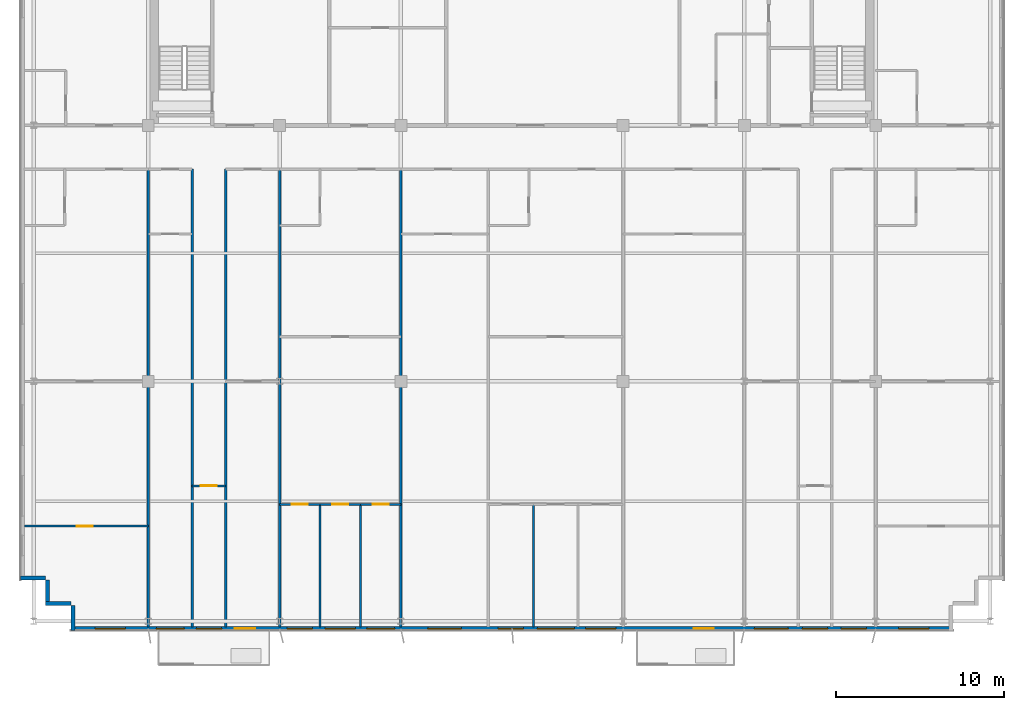
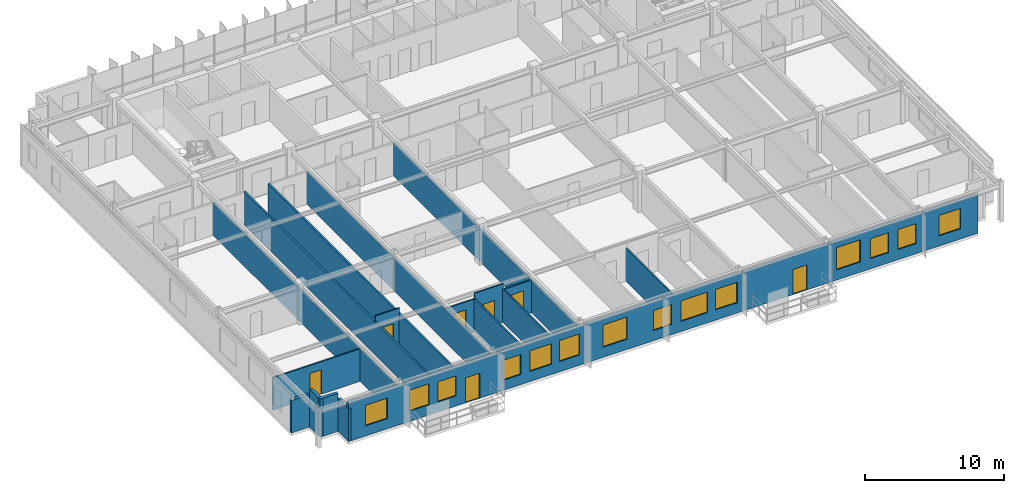
# One storey, part 16 of 23: 18 walls, 14 windows, 7 doors, 21 openings.
"""IFC4 building model written with IfcOpenShell, lengths in metres."""

from ifc_helpers import new_model, si_unit, direction, frame, frame_2d, origin, place, context, subcontext, project, spatial, rectangle, extrude, source, transform, mapped, material, layer, layer_set, type_object, element, fill, save


model = new_model("IFC4")

# Units and contexts
model_context = context("Model", 3, precision=1e-05, world=origin(), true_north=direction((0.0, 1.0)))
body_context = subcontext(model_context, "Body", "Model", "MODEL_VIEW")
ifc_project = project(units=[si_unit("LENGTHUNIT", "METRE"), si_unit("AREAUNIT", "SQUARE_METRE"), si_unit("VOLUMEUNIT", "CUBIC_METRE"), si_unit("PLANEANGLEUNIT", "RADIAN"), si_unit("MASSUNIT", "GRAM", prefix="KILO")], contexts=[model_context])

# Site, building, storey
site_placement = place(None, origin())
site = spatial("IfcSite", under=ifc_project, at=site_placement, CompositionType="ELEMENT")
building_placement = place(site_placement, origin())
building = spatial("IfcBuilding", under=site, at=building_placement, Name="Trelvane Seafront Commons", CompositionType="ELEMENT")
storey_placement = place(building_placement, frame((0.0, 0.0, 212.10009765625)))
storey = spatial("IfcBuildingStorey", under=building, at=storey_placement, Name="L55", CompositionType="ELEMENT", Elevation=212.10009765625)

# Walls
ifc_material_1 = material(Name="Precast concrete C40/50", Category="concrete")
ifc_layer_1 = layer(ifc_material_1, 0.239990234375, Name="ARCH-WALL-EXT240")
ifc_layer_set_1 = layer_set([ifc_layer_1], Name="Precast concrete C40/50")
wall_type_1 = type_object("IfcWallType", Name="ARCH-WALL-EXT240", PredefinedType="SOLIDWALL", material=ifc_layer_set_1)
for number, where, z_axis, x_axis, name in (
    (1, (11.0, 5.02001953125, 0.0), (0.0, 0.0, 1.0), (-1.0, 0.0, 0.0), "EW-L55-01101"),
    (2, (9.6201171875, 4.89990234375, 0.0), (0.0, 0.0, 1.0), (0.0, 1.0, 0.0), "EW-L55-01102"),
):
    element("IfcWall", number, at=place(storey_placement, frame(where, z_axis=z_axis, x_axis=x_axis)), inside=storey, type_object=wall_type_1, Name=name, PredefinedType="SOLIDWALL", context=body_context, shape_type="SweptSolid", body=[
        extrude(rectangle(XDim=1.5, YDim=0.239990234375, at=frame_2d((0.75, 0.0))), origin(), (0.0, 0.0, 1.0), 3.35986328125),
    ])
wall_1_placement = place(storey_placement, frame((9.5, 6.52001953125, 0.0), z_axis=(0.0, 0.0, 1.0), x_axis=(-1.0, 0.0, 0.0)))
element("IfcWall", 3, at=wall_1_placement, inside=storey, type_object=wall_type_1, Name="EW-L55-01103", PredefinedType="SOLIDWALL", context=body_context, shape_type="SweptSolid", body=[
    extrude(rectangle(XDim=1.5, YDim=0.239990234375, at=frame_2d((0.75, 0.0))), origin(), (0.0, 0.0, 1.0), 2.85986328125),
])

# Wall, openings, doors, windows
wall_2_placement = place(storey_placement, frame((63.39990234375, 3.52001953125, 0.0), z_axis=(0.0, 0.0, 1.0), x_axis=(-1.0, 0.0, 0.0)))
wall_2 = element("IfcWall", 4, at=wall_2_placement, inside=storey, type_object=wall_type_1, Name="EW-L55-01118", PredefinedType="SOLIDWALL", context=body_context, shape_type="SweptSolid", body=[
    extrude(rectangle(XDim=52.39990234375, YDim=0.239990234375, at=frame_2d((26.199951171875, 0.0))), origin(), (0.0, 0.0, 1.0), 3.35986328125),
])
opening_1_placement = place(wall_2_placement, frame((1.445068359375, 0.0, 0.89990234375)))
opening_1 = element("IfcOpeningElement", 5, at=opening_1_placement, cuts=wall_2, Name="Opening W01", PredefinedType="OPENING", context=body_context, shape_type="SweptSolid", body=[
    extrude(rectangle(XDim=1.800048828125, YDim=1.800048828125, at=frame_2d((0.89990234375, 0.89990234375))), frame((0.0, 0.1298828125, 0.0), z_axis=(0.0, -1.0, 0.0), x_axis=(1.0, 0.0, 0.0)), (0.0, 0.0, 1.0), 0.260009765625),
])
opening_2_placement = place(wall_2_placement, frame((5.14990234375, 0.0, 0.89990234375)))
opening_2 = element("IfcOpeningElement", 6, at=opening_2_placement, cuts=wall_2, Name="Opening W03", PredefinedType="OPENING", context=body_context, shape_type="SweptSolid", body=[
    extrude(rectangle(XDim=1.5, YDim=1.75, at=frame_2d((0.75, 0.875))), frame((0.0, 0.1298828125, 0.0), z_axis=(0.0, -1.0, 0.0), x_axis=(1.0, 0.0, 0.0)), (0.0, 0.0, 1.0), 0.260009765625),
])
opening_3_placement = place(wall_2_placement, frame((7.449951171875, 0.0, 0.89990234375)))
opening_3 = element("IfcOpeningElement", 7, at=opening_3_placement, cuts=wall_2, Name="Opening W03", PredefinedType="OPENING", context=body_context, shape_type="SweptSolid", body=[
    extrude(rectangle(XDim=1.5, YDim=1.75, at=frame_2d((0.75, 0.875))), frame((0.0, 0.1298828125, 0.0), z_axis=(0.0, -1.0, 0.0), x_axis=(1.0, 0.0, 0.0)), (0.0, 0.0, 1.0), 0.260009765625),
])
opening_4_placement = place(wall_2_placement, frame((9.800048828125, 0.0, 0.89990234375)))
opening_4 = element("IfcOpeningElement", 8, at=opening_4_placement, cuts=wall_2, Name="Opening W06", PredefinedType="OPENING", context=body_context, shape_type="SweptSolid", body=[
    extrude(rectangle(XDim=2.0, YDim=1.949951171875, at=frame_2d((1.0, 0.97509765625))), frame((0.0, 0.1298828125, 0.0), z_axis=(0.0, -1.0, 0.0), x_axis=(1.0, 0.0, 0.0)), (0.0, 0.0, 1.0), 0.260009765625),
])
opening_5_placement = place(wall_2_placement, frame((14.217041015625, 0.0, 0.0)))
opening_5 = element("IfcOpeningElement", 9, at=opening_5_placement, cuts=wall_2, Name="Opening BD-L55-118", PredefinedType="OPENING", context=body_context, shape_type="SweptSolid", body=[
    extrude(rectangle(XDim=1.199951171875, YDim=2.199951171875, at=frame_2d((0.60009765625, 1.10009765625))), frame((0.0, 0.1298828125, 0.0), z_axis=(0.0, -1.0, 0.0), x_axis=(1.0, 0.0, 0.0)), (0.0, 0.0, 1.0), 0.260009765625),
])
opening_6_placement = place(wall_2_placement, frame((20.033935546875, 0.0, 0.89990234375)))
opening_6 = element("IfcOpeningElement", 10, at=opening_6_placement, cuts=wall_2, Name="Opening W01", PredefinedType="OPENING", context=body_context, shape_type="SweptSolid", body=[
    extrude(rectangle(XDim=1.800048828125, YDim=1.800048828125, at=frame_2d((0.89990234375, 0.89990234375))), frame((0.0, 0.1298828125, 0.0), z_axis=(0.0, -1.0, 0.0), x_axis=(1.0, 0.0, 0.0)), (0.0, 0.0, 1.0), 0.260009765625),
])
opening_7_placement = place(wall_2_placement, frame((22.5, 0.0, 0.89990234375)))
opening_7 = element("IfcOpeningElement", 11, at=opening_7_placement, cuts=wall_2, Name="Opening W02", PredefinedType="OPENING", context=body_context, shape_type="SweptSolid", body=[
    extrude(rectangle(XDim=2.199951171875, YDim=1.800048828125, at=frame_2d((1.10009765625, 0.89990234375))), frame((0.0, 0.1298828125, 0.0), z_axis=(0.0, -1.0, 0.0), x_axis=(1.0, 0.0, 0.0)), (0.0, 0.0, 1.0), 0.260009765625),
])
opening_8_placement = place(wall_2_placement, frame((25.51708984375, 0.0, 0.89990234375)))
opening_8 = element("IfcOpeningElement", 12, at=opening_8_placement, cuts=wall_2, Name="Opening W03", PredefinedType="OPENING", context=body_context, shape_type="SweptSolid", body=[
    extrude(rectangle(XDim=1.5, YDim=1.75, at=frame_2d((0.75, 0.875))), frame((0.0, 0.1298828125, 0.0), z_axis=(0.0, -1.0, 0.0), x_axis=(1.0, 0.0, 0.0)), (0.0, 0.0, 1.0), 0.260009765625),
])
opening_9_placement = place(wall_2_placement, frame((29.199951171875, 0.0, 0.89990234375)))
opening_9 = element("IfcOpeningElement", 13, at=opening_9_placement, cuts=wall_2, Name="Opening W06", PredefinedType="OPENING", context=body_context, shape_type="SweptSolid", body=[
    extrude(rectangle(XDim=2.0, YDim=1.949951171875, at=frame_2d((1.0, 0.97509765625))), frame((0.0, 0.1298828125, 0.0), z_axis=(0.0, -1.0, 0.0), x_axis=(1.0, 0.0, 0.0)), (0.0, 0.0, 1.0), 0.260009765625),
])
opening_10_placement = place(wall_2_placement, frame((33.175048828125, 0.0, 0.89990234375)))
opening_10 = element("IfcOpeningElement", 14, at=opening_10_placement, cuts=wall_2, Name="Opening W07", PredefinedType="OPENING", context=body_context, shape_type="SweptSolid", body=[
    extrude(rectangle(XDim=1.64990234375, YDim=1.85009765625, at=frame_2d((0.824951171875, 0.925048828125))), frame((0.0, 0.1298828125, 0.0), z_axis=(0.0, -1.0, 0.0), x_axis=(1.0, 0.0, 0.0)), (0.0, 0.0, 1.0), 0.260009765625),
])
opening_11_placement = place(wall_2_placement, frame((35.5, 0.0, 0.89990234375)))
opening_11 = element("IfcOpeningElement", 15, at=opening_11_placement, cuts=wall_2, Name="Opening W01", PredefinedType="OPENING", context=body_context, shape_type="SweptSolid", body=[
    extrude(rectangle(XDim=1.800048828125, YDim=1.800048828125, at=frame_2d((0.89990234375, 0.89990234375))), frame((0.0, 0.1298828125, 0.0), z_axis=(0.0, -1.0, 0.0), x_axis=(1.0, 0.0, 0.0)), (0.0, 0.0, 1.0), 0.260009765625),
])
opening_12_placement = place(wall_2_placement, frame((38.050048828125, 0.0, 0.89990234375)))
opening_12 = element("IfcOpeningElement", 16, at=opening_12_placement, cuts=wall_2, Name="Opening W03", PredefinedType="OPENING", context=body_context, shape_type="SweptSolid", body=[
    extrude(rectangle(XDim=1.5, YDim=1.75, at=frame_2d((0.75, 0.875))), frame((0.0, 0.1298828125, 0.0), z_axis=(0.0, -1.0, 0.0), x_axis=(1.0, 0.0, 0.0)), (0.0, 0.0, 1.0), 0.260009765625),
])
opening_13_placement = place(wall_2_placement, frame((41.4560546875, 0.0, 0.0)))
opening_13 = element("IfcOpeningElement", 17, at=opening_13_placement, cuts=wall_2, Name="Opening BD-L55-119", PredefinedType="OPENING", context=body_context, shape_type="SweptSolid", body=[
    extrude(rectangle(XDim=1.199951171875, YDim=2.199951171875, at=frame_2d((0.60009765625, 1.10009765625))), frame((0.0, 0.1298828125, 0.0), z_axis=(0.0, -1.0, 0.0), x_axis=(1.0, 0.0, 0.0)), (0.0, 0.0, 1.0), 0.260009765625),
])
opening_14_placement = place(wall_2_placement, frame((43.449951171875, 0.0, 0.89990234375)))
opening_14 = element("IfcOpeningElement", 18, at=opening_14_placement, cuts=wall_2, Name="Opening W03", PredefinedType="OPENING", context=body_context, shape_type="SweptSolid", body=[
    extrude(rectangle(XDim=1.5, YDim=1.75, at=frame_2d((0.75, 0.875))), frame((0.0, 0.1298828125, 0.0), z_axis=(0.0, -1.0, 0.0), x_axis=(1.0, 0.0, 0.0)), (0.0, 0.0, 1.0), 0.260009765625),
])
opening_15_placement = place(wall_2_placement, frame((45.675048828125, 0.0, 0.89990234375)))
opening_15 = element("IfcOpeningElement", 19, at=opening_15_placement, cuts=wall_2, Name="Opening W07", PredefinedType="OPENING", context=body_context, shape_type="SweptSolid", body=[
    extrude(rectangle(XDim=1.64990234375, YDim=1.85009765625, at=frame_2d((0.824951171875, 0.925048828125))), frame((0.0, 0.1298828125, 0.0), z_axis=(0.0, -1.0, 0.0), x_axis=(1.0, 0.0, 0.0)), (0.0, 0.0, 1.0), 0.260009765625),
])
opening_16_placement = place(wall_2_placement, frame((49.155029296875, 0.0, 0.89990234375)))
opening_16 = element("IfcOpeningElement", 20, at=opening_16_placement, cuts=wall_2, Name="Opening W01", PredefinedType="OPENING", context=body_context, shape_type="SweptSolid", body=[
    extrude(rectangle(XDim=1.800048828125, YDim=1.800048828125, at=frame_2d((0.89990234375, 0.89990234375))), frame((0.0, 0.1298828125, 0.0), z_axis=(0.0, -1.0, 0.0), x_axis=(1.0, 0.0, 0.0)), (0.0, 0.0, 1.0), 0.260009765625),
])
ifc_material_2 = material(Name="Powder-coated aluminium frame", Category="aluminium")
door_type_1 = type_object("IfcDoorType", Name="ARCH-DR-BAL1200", OperationType="NOTDEFINED", PredefinedType="DOOR", material=ifc_material_2)
shared_shape_1 = source(origin(), body_context, "Body", "SweptSolid", [
    extrude(rectangle(XDim=1.199951171875, YDim=2.199951171875, at=frame_2d((0.60009765625, 1.10009765625))), frame((0.0, 0.02490234375, 0.0), z_axis=(0.0, -1.0, 0.0), x_axis=(1.0, 0.0, 0.0)), (0.0, 0.0, 1.0), 0.050048828125),
])
door_1_placement = place(opening_5_placement, origin())
door_1 = element("IfcDoor", 21, at=door_1_placement, inside=storey, type_object=door_type_1, Name="L55 Balcony Terrace Access Door", OperationType="SINGLE_SWING_LEFT", OverallHeight=2.199951171875, OverallWidth=1.199951171875, PredefinedType="DOOR", context=body_context, shape_type="MappedRepresentation", body=[
    mapped(shared_shape_1, transform((0.0, 0.0, 0.0), x_axis=(1.0, 0.0, 0.0), y_axis=(0.0, 1.0, 0.0), z_axis=(0.0, 0.0, 1.0), scale=1.0)),
])
fill(opening_5, door_1)
door_2_placement = place(opening_13_placement, origin())
door_2 = element("IfcDoor", 22, at=door_2_placement, inside=storey, type_object=door_type_1, Name="L55 Balcony Terrace Access Door", OperationType="SINGLE_SWING_LEFT", OverallHeight=2.199951171875, OverallWidth=1.199951171875, PredefinedType="DOOR", context=body_context, shape_type="MappedRepresentation", body=[
    mapped(shared_shape_1, transform((0.0, 0.0, 0.0), x_axis=(1.0, 0.0, 0.0), y_axis=(0.0, 1.0, 0.0), z_axis=(0.0, 0.0, 1.0), scale=1.0)),
])
fill(opening_13, door_2)
ifc_material_3 = material(Name="Low-E coastal double glazing", Category="glass")
window_type_1 = type_object("IfcWindowType", Name="ARCH-WIN-W02", PartitioningType="SINGLE_PANEL", PredefinedType="WINDOW", material=ifc_material_3)
shared_shape_2 = source(origin(), body_context, "Body", "SweptSolid", [
    extrude(rectangle(XDim=2.199951171875, YDim=1.800048828125, at=frame_2d((1.10009765625, 0.89990234375))), frame((0.0, 0.030029296875, 0.0), z_axis=(0.0, -1.0, 0.0), x_axis=(1.0, 0.0, 0.0)), (0.0, 0.0, 1.0), 0.06005859375),
])
window_1_placement = place(opening_7_placement, origin())
window_1 = element("IfcWindow", 23, at=window_1_placement, inside=storey, type_object=window_type_1, Name="WIN-L55-01349", OverallHeight=1.800048828125, OverallWidth=2.199951171875, PartitioningType="SINGLE_PANEL", PredefinedType="WINDOW", context=body_context, shape_type="MappedRepresentation", body=[
    mapped(shared_shape_2, transform((0.0, 0.0, 0.0), x_axis=(1.0, 0.0, 0.0), y_axis=(0.0, 1.0, 0.0), z_axis=(0.0, 0.0, 1.0), scale=1.0)),
])
fill(opening_7, window_1)
window_type_2 = type_object("IfcWindowType", Name="ARCH-WIN-W03", PartitioningType="SINGLE_PANEL", PredefinedType="WINDOW", material=ifc_material_3)
shared_shape_3 = source(origin(), body_context, "Body", "SweptSolid", [
    extrude(rectangle(XDim=1.5, YDim=1.75, at=frame_2d((0.75, 0.875))), frame((0.0, 0.030029296875, 0.0), z_axis=(0.0, -1.0, 0.0), x_axis=(1.0, 0.0, 0.0)), (0.0, 0.0, 1.0), 0.06005859375),
])
window_2_placement = place(opening_2_placement, origin())
window_2 = element("IfcWindow", 24, at=window_2_placement, inside=storey, type_object=window_type_2, Name="WIN-L55-01345", OverallHeight=1.75, OverallWidth=1.5, PartitioningType="SINGLE_PANEL", PredefinedType="WINDOW", context=body_context, shape_type="MappedRepresentation", body=[
    mapped(shared_shape_3, transform((0.0, 0.0, 0.0), x_axis=(1.0, 0.0, 0.0), y_axis=(0.0, 1.0, 0.0), z_axis=(0.0, 0.0, 1.0), scale=1.0)),
])
fill(opening_2, window_2)
window_3_placement = place(opening_3_placement, origin())
window_3 = element("IfcWindow", 25, at=window_3_placement, inside=storey, type_object=window_type_2, Name="WIN-L55-01346", OverallHeight=1.75, OverallWidth=1.5, PartitioningType="SINGLE_PANEL", PredefinedType="WINDOW", context=body_context, shape_type="MappedRepresentation", body=[
    mapped(shared_shape_3, transform((0.0, 0.0, 0.0), x_axis=(1.0, 0.0, 0.0), y_axis=(0.0, 1.0, 0.0), z_axis=(0.0, 0.0, 1.0), scale=1.0)),
])
fill(opening_3, window_3)
window_4_placement = place(opening_8_placement, origin())
window_4 = element("IfcWindow", 26, at=window_4_placement, inside=storey, type_object=window_type_2, Name="WIN-L55-01350", OverallHeight=1.75, OverallWidth=1.5, PartitioningType="SINGLE_PANEL", PredefinedType="WINDOW", context=body_context, shape_type="MappedRepresentation", body=[
    mapped(shared_shape_3, transform((0.0, 0.0, 0.0), x_axis=(1.0, 0.0, 0.0), y_axis=(0.0, 1.0, 0.0), z_axis=(0.0, 0.0, 1.0), scale=1.0)),
])
fill(opening_8, window_4)
window_5_placement = place(opening_12_placement, origin())
window_5 = element("IfcWindow", 27, at=window_5_placement, inside=storey, type_object=window_type_2, Name="WIN-L55-01354", OverallHeight=1.75, OverallWidth=1.5, PartitioningType="SINGLE_PANEL", PredefinedType="WINDOW", context=body_context, shape_type="MappedRepresentation", body=[
    mapped(shared_shape_3, transform((0.0, 0.0, 0.0), x_axis=(1.0, 0.0, 0.0), y_axis=(0.0, 1.0, 0.0), z_axis=(0.0, 0.0, 1.0), scale=1.0)),
])
fill(opening_12, window_5)
window_6_placement = place(opening_14_placement, origin())
window_6 = element("IfcWindow", 28, at=window_6_placement, inside=storey, type_object=window_type_2, Name="WIN-L55-01355", OverallHeight=1.75, OverallWidth=1.5, PartitioningType="SINGLE_PANEL", PredefinedType="WINDOW", context=body_context, shape_type="MappedRepresentation", body=[
    mapped(shared_shape_3, transform((0.0, 0.0, 0.0), x_axis=(1.0, 0.0, 0.0), y_axis=(0.0, 1.0, 0.0), z_axis=(0.0, 0.0, 1.0), scale=1.0)),
])
fill(opening_14, window_6)
window_type_3 = type_object("IfcWindowType", Name="ARCH-WIN-W06", PartitioningType="SINGLE_PANEL", PredefinedType="WINDOW", material=ifc_material_3)
shared_shape_4 = source(origin(), body_context, "Body", "SweptSolid", [
    extrude(rectangle(XDim=2.0, YDim=1.949951171875, at=frame_2d((1.0, 0.97509765625))), frame((0.0, 0.030029296875, 0.0), z_axis=(0.0, -1.0, 0.0), x_axis=(1.0, 0.0, 0.0)), (0.0, 0.0, 1.0), 0.06005859375),
])
window_7_placement = place(opening_4_placement, origin())
window_7 = element("IfcWindow", 29, at=window_7_placement, inside=storey, type_object=window_type_3, Name="WIN-L55-01347", OverallHeight=1.949951171875, OverallWidth=2.0, PartitioningType="SINGLE_PANEL", PredefinedType="WINDOW", context=body_context, shape_type="MappedRepresentation", body=[
    mapped(shared_shape_4, transform((0.0, 0.0, 0.0), x_axis=(1.0, 0.0, 0.0), y_axis=(0.0, 1.0, 0.0), z_axis=(0.0, 0.0, 1.0), scale=1.0)),
])
fill(opening_4, window_7)
window_8_placement = place(opening_9_placement, origin())
window_8 = element("IfcWindow", 30, at=window_8_placement, inside=storey, type_object=window_type_3, Name="WIN-L55-01351", OverallHeight=1.949951171875, OverallWidth=2.0, PartitioningType="SINGLE_PANEL", PredefinedType="WINDOW", context=body_context, shape_type="MappedRepresentation", body=[
    mapped(shared_shape_4, transform((0.0, 0.0, 0.0), x_axis=(1.0, 0.0, 0.0), y_axis=(0.0, 1.0, 0.0), z_axis=(0.0, 0.0, 1.0), scale=1.0)),
])
fill(opening_9, window_8)
window_type_4 = type_object("IfcWindowType", Name="ARCH-WIN-W01", PartitioningType="SINGLE_PANEL", PredefinedType="WINDOW", material=ifc_material_3)
shared_shape_5 = source(origin(), body_context, "Body", "SweptSolid", [
    extrude(rectangle(XDim=1.800048828125, YDim=1.800048828125, at=frame_2d((0.89990234375, 0.89990234375))), frame((0.0, 0.030029296875, 0.0), z_axis=(0.0, -1.0, 0.0), x_axis=(1.0, 0.0, 0.0)), (0.0, 0.0, 1.0), 0.06005859375),
])
window_9_placement = place(opening_1_placement, origin())
window_9 = element("IfcWindow", 31, at=window_9_placement, inside=storey, type_object=window_type_4, Name="WIN-L55-01344", OverallHeight=1.800048828125, OverallWidth=1.800048828125, PartitioningType="SINGLE_PANEL", PredefinedType="WINDOW", context=body_context, shape_type="MappedRepresentation", body=[
    mapped(shared_shape_5, transform((0.0, 0.0, 0.0), x_axis=(1.0, 0.0, 0.0), y_axis=(0.0, 1.0, 0.0), z_axis=(0.0, 0.0, 1.0), scale=1.0)),
])
fill(opening_1, window_9)
window_10_placement = place(opening_6_placement, origin())
window_10 = element("IfcWindow", 32, at=window_10_placement, inside=storey, type_object=window_type_4, Name="WIN-L55-01348", OverallHeight=1.800048828125, OverallWidth=1.800048828125, PartitioningType="SINGLE_PANEL", PredefinedType="WINDOW", context=body_context, shape_type="MappedRepresentation", body=[
    mapped(shared_shape_5, transform((0.0, 0.0, 0.0), x_axis=(1.0, 0.0, 0.0), y_axis=(0.0, 1.0, 0.0), z_axis=(0.0, 0.0, 1.0), scale=1.0)),
])
fill(opening_6, window_10)
window_11_placement = place(opening_11_placement, origin())
window_11 = element("IfcWindow", 33, at=window_11_placement, inside=storey, type_object=window_type_4, Name="WIN-L55-01353", OverallHeight=1.800048828125, OverallWidth=1.800048828125, PartitioningType="SINGLE_PANEL", PredefinedType="WINDOW", context=body_context, shape_type="MappedRepresentation", body=[
    mapped(shared_shape_5, transform((0.0, 0.0, 0.0), x_axis=(1.0, 0.0, 0.0), y_axis=(0.0, 1.0, 0.0), z_axis=(0.0, 0.0, 1.0), scale=1.0)),
])
fill(opening_11, window_11)
window_12_placement = place(opening_16_placement, origin())
window_12 = element("IfcWindow", 34, at=window_12_placement, inside=storey, type_object=window_type_4, Name="WIN-L55-01357", OverallHeight=1.800048828125, OverallWidth=1.800048828125, PartitioningType="SINGLE_PANEL", PredefinedType="WINDOW", context=body_context, shape_type="MappedRepresentation", body=[
    mapped(shared_shape_5, transform((0.0, 0.0, 0.0), x_axis=(1.0, 0.0, 0.0), y_axis=(0.0, 1.0, 0.0), z_axis=(0.0, 0.0, 1.0), scale=1.0)),
])
fill(opening_16, window_12)
window_type_5 = type_object("IfcWindowType", Name="ARCH-WIN-W07", PartitioningType="SINGLE_PANEL", PredefinedType="WINDOW", material=ifc_material_3)
shared_shape_6 = source(origin(), body_context, "Body", "SweptSolid", [
    extrude(rectangle(XDim=1.64990234375, YDim=1.85009765625, at=frame_2d((0.824951171875, 0.925048828125))), frame((0.0, 0.030029296875, 0.0), z_axis=(0.0, -1.0, 0.0), x_axis=(1.0, 0.0, 0.0)), (0.0, 0.0, 1.0), 0.06005859375),
])
window_13_placement = place(opening_10_placement, origin())
window_13 = element("IfcWindow", 35, at=window_13_placement, inside=storey, type_object=window_type_5, Name="WIN-L55-01352", OverallHeight=1.85009765625, OverallWidth=1.64990234375, PartitioningType="SINGLE_PANEL", PredefinedType="WINDOW", context=body_context, shape_type="MappedRepresentation", body=[
    mapped(shared_shape_6, transform((0.0, 0.0, 0.0), x_axis=(1.0, 0.0, 0.0), y_axis=(0.0, 1.0, 0.0), z_axis=(0.0, 0.0, 1.0), scale=1.0)),
])
fill(opening_10, window_13)
window_14_placement = place(opening_15_placement, origin())
window_14 = element("IfcWindow", 36, at=window_14_placement, inside=storey, type_object=window_type_5, Name="WIN-L55-01356", OverallHeight=1.85009765625, OverallWidth=1.64990234375, PartitioningType="SINGLE_PANEL", PredefinedType="WINDOW", context=body_context, shape_type="MappedRepresentation", body=[
    mapped(shared_shape_6, transform((0.0, 0.0, 0.0), x_axis=(1.0, 0.0, 0.0), y_axis=(0.0, 1.0, 0.0), z_axis=(0.0, 0.0, 1.0), scale=1.0)),
])
fill(opening_15, window_14)

# Wall
wall_3_placement = place(storey_placement, frame((11.1201171875, 3.39990234375, 0.0), z_axis=(0.0, 0.0, 1.0), x_axis=(0.0, 1.0, 0.0)))
element("IfcWall", 37, at=wall_3_placement, inside=storey, type_object=wall_type_1, Name="EW-L55-01119", PredefinedType="SOLIDWALL", context=body_context, shape_type="SweptSolid", body=[
    extrude(rectangle(XDim=1.5, YDim=0.239990234375, at=frame_2d((0.75, 0.0))), origin(), (0.0, 0.0, 1.0), 2.909912109375),
])

# Wall, opening, door
ifc_material_4 = material(Name="Gypsum Drywall Acoustic Partition")
ifc_layer_2 = layer(ifc_material_4, 0.1201171875, Name="ARCH-WALL-PART120")
ifc_layer_set_2 = layer_set([ifc_layer_2], Name="Gypsum Drywall Acoustic Partition")
wall_type_2 = type_object("IfcWallType", Name="ARCH-WALL-PART120", PredefinedType="PARTITIONING", material=ifc_layer_set_2)
wall_4_placement = place(storey_placement, frame((8.239990234375, 9.60009765625, 0.0), z_axis=(0.0, 0.0, 1.0), x_axis=(1.0, 0.0, 0.0)))
wall_4 = element("IfcWall", 38, at=wall_4_placement, inside=storey, type_object=wall_type_2, Name="W-L55-U1-YM-1-062", PredefinedType="PARTITIONING", context=body_context, shape_type="SweptSolid", body=[
    extrude(rectangle(XDim=7.360107421875, YDim=0.1201171875, at=frame_2d((3.68017578125, 0.0))), origin(), (0.0, 0.0, 1.0), 2.85986328125),
])
opening_17_placement = place(wall_4_placement, frame((3.114013671875, 0.0, 0.0)))
opening_17 = element("IfcOpeningElement", 39, at=opening_17_placement, cuts=wall_4, Name="Opening D-L55-33", PredefinedType="OPENING", context=body_context, shape_type="SweptSolid", body=[
    extrude(rectangle(XDim=0.949951171875, YDim=2.14990234375, at=frame_2d((0.47509765625, 1.074951171875))), frame((0.0, 0.070068359375, 0.0), z_axis=(0.0, -1.0, 0.0), x_axis=(1.0, 0.0, 0.0)), (0.0, 0.0, 1.0), 0.14013671875),
])
ifc_material_5 = material(Name="Acoustic timber door leaf", Category="wood")
door_type_2 = type_object("IfcDoorType", Name="ARCH-DR-INT950", OperationType="NOTDEFINED", PredefinedType="DOOR", material=ifc_material_5)
shared_shape_7 = source(origin(), body_context, "Body", "SweptSolid", [
    extrude(rectangle(XDim=0.949951171875, YDim=2.14990234375, at=frame_2d((0.47509765625, 1.074951171875))), frame((0.0, 0.02490234375, 0.0), z_axis=(0.0, -1.0, 0.0), x_axis=(1.0, 0.0, 0.0)), (0.0, 0.0, 1.0), 0.050048828125),
])
door_3_placement = place(opening_17_placement, origin())
door_3 = element("IfcDoor", 40, at=door_3_placement, inside=storey, type_object=door_type_2, Name="L55 Door 33", OperationType="SINGLE_SWING_LEFT", OverallHeight=2.14990234375, OverallWidth=0.949951171875, PredefinedType="DOOR", context=body_context, shape_type="MappedRepresentation", body=[
    mapped(shared_shape_7, transform((0.0, 0.0, 0.0), x_axis=(1.0, 0.0, 0.0), y_axis=(0.0, 1.0, 0.0), z_axis=(0.0, 0.0, 1.0), scale=1.0)),
])
fill(opening_17, door_3)

wall_5_placement = place(storey_placement, frame((18.199951171875, 12.0, 0.0), z_axis=(0.0, 0.0, 1.0), x_axis=(1.0, 0.0, 0.0)))
wall_5 = element("IfcWall", 41, at=wall_5_placement, inside=storey, type_object=wall_type_2, Name="W-L55-ARM-END-3-067", PredefinedType="PARTITIONING", context=body_context, shape_type="SweptSolid", body=[
    extrude(rectangle(XDim=2.0, YDim=0.1201171875, at=frame_2d((1.0, 0.0))), origin(), (0.0, 0.0, 1.0), 3.35986328125),
])
opening_18_placement = place(wall_5_placement, frame((0.52001953125, 0.0, 0.0)))
opening_18 = element("IfcOpeningElement", 42, at=opening_18_placement, cuts=wall_5, Name="Opening D-L55-36", PredefinedType="OPENING", context=body_context, shape_type="SweptSolid", body=[
    extrude(rectangle(XDim=0.949951171875, YDim=2.14990234375, at=frame_2d((0.47509765625, 1.074951171875))), frame((0.0, 0.070068359375, 0.0), z_axis=(0.0, -1.0, 0.0), x_axis=(1.0, 0.0, 0.0)), (0.0, 0.0, 1.0), 0.14013671875),
])
door_4_placement = place(opening_18_placement, origin())
door_4 = element("IfcDoor", 43, at=door_4_placement, inside=storey, type_object=door_type_2, Name="L55 Door 36", OperationType="SINGLE_SWING_RIGHT", OverallHeight=2.14990234375, OverallWidth=0.949951171875, PredefinedType="DOOR", context=body_context, shape_type="MappedRepresentation", body=[
    mapped(shared_shape_7, transform((0.0, 0.0, 0.0), x_axis=(1.0, 0.0, 0.0), y_axis=(0.0, 1.0, 0.0), z_axis=(0.0, 0.0, 1.0), scale=1.0)),
])
fill(opening_18, door_4)

wall_6_placement = place(storey_placement, frame((23.39990234375, 10.89990234375, 0.0), z_axis=(0.0, 0.0, 1.0), x_axis=(1.0, 0.0, 0.0)))
wall_6 = element("IfcWall", 44, at=wall_6_placement, inside=storey, type_object=wall_type_2, Name="W-L55-U5-YM-1-074", PredefinedType="PARTITIONING", context=body_context, shape_type="SweptSolid", body=[
    extrude(rectangle(XDim=2.400146484375, YDim=0.1201171875, at=frame_2d((1.2001953125, 0.0))), origin(), (0.0, 0.0, 1.0), 2.85986328125),
])
opening_19_placement = place(wall_6_placement, frame((0.72509765625, 0.0, 0.0)))
opening_19 = element("IfcOpeningElement", 45, at=opening_19_placement, cuts=wall_6, Name="Opening D-L55-42", PredefinedType="OPENING", context=body_context, shape_type="SweptSolid", body=[
    extrude(rectangle(XDim=0.949951171875, YDim=2.14990234375, at=frame_2d((0.47509765625, 1.074951171875))), frame((0.0, 0.070068359375, 0.0), z_axis=(0.0, -1.0, 0.0), x_axis=(1.0, 0.0, 0.0)), (0.0, 0.0, 1.0), 0.14013671875),
])
door_5_placement = place(opening_19_placement, origin())
door_5 = element("IfcDoor", 46, at=door_5_placement, inside=storey, type_object=door_type_2, Name="L55 Door 42", OperationType="SINGLE_SWING_RIGHT", OverallHeight=2.14990234375, OverallWidth=0.949951171875, PredefinedType="DOOR", context=body_context, shape_type="MappedRepresentation", body=[
    mapped(shared_shape_7, transform((0.0, 0.0, 0.0), x_axis=(1.0, 0.0, 0.0), y_axis=(0.0, 1.0, 0.0), z_axis=(0.0, 0.0, 1.0), scale=1.0)),
])
fill(opening_19, door_5)

wall_7_placement = place(storey_placement, frame((25.800048828125, 10.89990234375, 0.0), z_axis=(0.0, 0.0, 1.0), x_axis=(1.0, 0.0, 0.0)))
wall_7 = element("IfcWall", 47, at=wall_7_placement, inside=storey, type_object=wall_type_2, Name="W-L55-U5-YM-2-075", PredefinedType="PARTITIONING", context=body_context, shape_type="SweptSolid", body=[
    extrude(rectangle(XDim=2.39990234375, YDim=0.1201171875, at=frame_2d((1.199951171875, 0.0))), origin(), (0.0, 0.0, 1.0), 3.35986328125),
])
opening_20_placement = place(wall_7_placement, frame((0.72509765625, 0.0, 0.0)))
opening_20 = element("IfcOpeningElement", 48, at=opening_20_placement, cuts=wall_7, Name="Opening D-L55-43", PredefinedType="OPENING", context=body_context, shape_type="SweptSolid", body=[
    extrude(rectangle(XDim=0.949951171875, YDim=2.14990234375, at=frame_2d((0.47509765625, 1.074951171875))), frame((0.0, 0.070068359375, 0.0), z_axis=(0.0, -1.0, 0.0), x_axis=(1.0, 0.0, 0.0)), (0.0, 0.0, 1.0), 0.14013671875),
])
door_6_placement = place(opening_20_placement, origin())
door_6 = element("IfcDoor", 49, at=door_6_placement, inside=storey, type_object=door_type_2, Name="L55 Door 43", OperationType="SINGLE_SWING_LEFT", OverallHeight=2.14990234375, OverallWidth=0.949951171875, PredefinedType="DOOR", context=body_context, shape_type="MappedRepresentation", body=[
    mapped(shared_shape_7, transform((0.0, 0.0, 0.0), x_axis=(1.0, 0.0, 0.0), y_axis=(0.0, 1.0, 0.0), z_axis=(0.0, 0.0, 1.0), scale=1.0)),
])
fill(opening_20, door_6)

# Wall
wall_8_placement = place(storey_placement, frame((25.800048828125, 3.625, 0.0), z_axis=(0.0, 0.0, 1.0), x_axis=(0.0, 1.0, 0.0)))
element("IfcWall", 50, at=wall_8_placement, inside=storey, type_object=wall_type_2, Name="W-L55-U5-BDV-1-076", PredefinedType="PARTITIONING", context=body_context, shape_type="SweptSolid", body=[
    extrude(rectangle(XDim=7.27490234375, YDim=0.1201171875, at=frame_2d((3.637451171875, 0.0))), origin(), (0.0, 0.0, 1.0), 2.909912109375),
])

# Wall, opening, door
wall_9_placement = place(storey_placement, frame((28.199951171875, 10.89990234375, 0.0), z_axis=(0.0, 0.0, 1.0), x_axis=(1.0, 0.0, 0.0)))
wall_9 = element("IfcWall", 51, at=wall_9_placement, inside=storey, type_object=wall_type_2, Name="W-L55-U5-YM-3-077", PredefinedType="PARTITIONING", context=body_context, shape_type="SweptSolid", body=[
    extrude(rectangle(XDim=2.400146484375, YDim=0.1201171875, at=frame_2d((1.2001953125, 0.0))), origin(), (0.0, 0.0, 1.0), 2.85986328125),
])
opening_21_placement = place(wall_9_placement, frame((0.72509765625, 0.0, 0.0)))
opening_21 = element("IfcOpeningElement", 52, at=opening_21_placement, cuts=wall_9, Name="Opening D-L55-44", PredefinedType="OPENING", context=body_context, shape_type="SweptSolid", body=[
    extrude(rectangle(XDim=0.949951171875, YDim=2.14990234375, at=frame_2d((0.47509765625, 1.074951171875))), frame((0.0, 0.070068359375, 0.0), z_axis=(0.0, -1.0, 0.0), x_axis=(1.0, 0.0, 0.0)), (0.0, 0.0, 1.0), 0.14013671875),
])
door_7_placement = place(opening_21_placement, origin())
door_7 = element("IfcDoor", 53, at=door_7_placement, inside=storey, type_object=door_type_2, Name="L55 Door 44", OperationType="SINGLE_SWING_RIGHT", OverallHeight=2.14990234375, OverallWidth=0.949951171875, PredefinedType="DOOR", context=body_context, shape_type="MappedRepresentation", body=[
    mapped(shared_shape_7, transform((0.0, 0.0, 0.0), x_axis=(1.0, 0.0, 0.0), y_axis=(0.0, 1.0, 0.0), z_axis=(0.0, 0.0, 1.0), scale=1.0)),
])
fill(opening_21, door_7)

# Walls
for number, where, z_axis, x_axis, name in (
    (54, (28.199951171875, 3.625, 0.0), (0.0, 0.0, 1.0), (0.0, 1.0, 0.0), "W-L55-U5-BDV-2-078"),
    (55, (38.467041015625, 3.625, 0.0), (0.0, 0.0, 1.0), (0.0, 1.0, 0.0), "W-L55-U7-BDV-1-087"),
):
    element("IfcWall", number, at=place(storey_placement, frame(where, z_axis=z_axis, x_axis=x_axis)), inside=storey, type_object=wall_type_2, Name=name, PredefinedType="PARTITIONING", context=body_context, shape_type="SweptSolid", body=[
        extrude(rectangle(XDim=7.27490234375, YDim=0.1201171875, at=frame_2d((3.637451171875, 0.0))), origin(), (0.0, 0.0, 1.0), 2.909912109375),
    ])
ifc_layer_3 = layer(ifc_material_4, 0.14990234375, Name="ARCH-WALL-PART150")
ifc_layer_set_3 = layer_set([ifc_layer_3], Name="Gypsum Drywall Acoustic Partition")
wall_type_3 = type_object("IfcWallType", Name="ARCH-WALL-PART150", PredefinedType="PARTITIONING", material=ifc_layer_set_3)
for number, where, z_axis, x_axis, name in (
    (56, (15.60009765625, 3.625, 0.0), (0.0, 0.0, 1.0), (0.0, 1.0, 0.0), "W-L55-PW-1-051"),
    (57, (23.39990234375, 3.625, 0.0), (0.0, 0.0, 1.0), (0.0, 1.0, 0.0), "W-L55-PW-4-052"),
    (58, (30.60009765625, 3.625, 0.0), (0.0, 0.0, 1.0), (0.0, 1.0, 0.0), "W-L55-PW-5-053"),
):
    element("IfcWall", number, at=place(storey_placement, frame(where, z_axis=z_axis, x_axis=x_axis)), inside=storey, type_object=wall_type_3, Name=name, PredefinedType="PARTITIONING", context=body_context, shape_type="SweptSolid", body=[
        extrude(rectangle(XDim=27.175048828125, YDim=0.14990234375, at=frame_2d((13.58740234375, 0.0))), origin(), (0.0, 0.0, 1.0), 2.85986328125),
    ])
for number, where, z_axis, x_axis, name in (
    (59, (18.199951171875, 3.625, 0.0), (0.0, 0.0, 1.0), (0.0, 1.0, 0.0), "W-L55-ARM-W-3-065"),
    (60, (20.199951171875, 3.625, 0.0), (0.0, 0.0, 1.0), (0.0, 1.0, 0.0), "W-L55-ARM-E-3-066"),
):
    element("IfcWall", number, at=place(storey_placement, frame(where, z_axis=z_axis, x_axis=x_axis)), inside=storey, type_object=wall_type_3, Name=name, PredefinedType="PARTITIONING", context=body_context, shape_type="SweptSolid", body=[
        extrude(rectangle(XDim=27.175048828125, YDim=0.14990234375, at=frame_2d((13.58740234375, 0.0))), origin(), (0.0, 0.0, 1.0), 2.909912109375),
    ])

save(model, "model.ifc")
